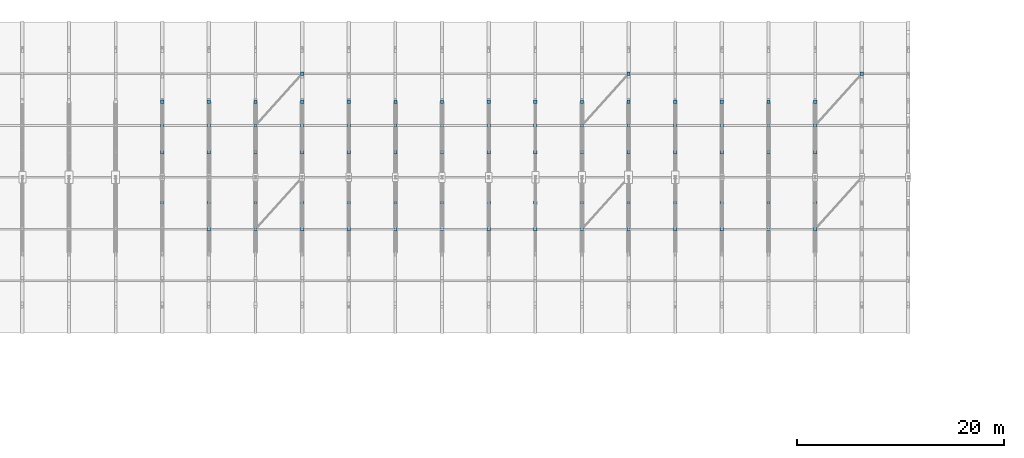
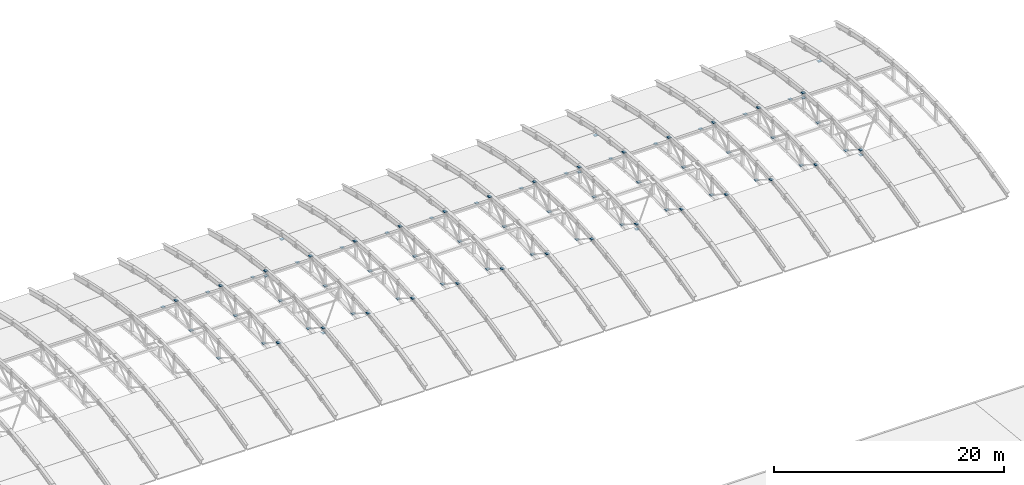
# One storey, part 49 of 53: 83 discrete accessories.
"""IFC4 building model written with IfcOpenShell, lengths in metres."""

from ifc_helpers import new_model, si_unit, direction, frame, origin, origin_2d, place, context, subcontext, project, spatial, rectangle, extrude, material, type_object, element, save


model = new_model("IFC4")

# Units and contexts
model_context = context("Model", 3, precision=1e-05, world=origin(), true_north=direction((0.0, 1.0)))
body_context = subcontext(model_context, "Body", "Model", "MODEL_VIEW")
ifc_project = project(units=[si_unit("LENGTHUNIT", "METRE"), si_unit("AREAUNIT", "SQUARE_METRE"), si_unit("VOLUMEUNIT", "CUBIC_METRE"), si_unit("PLANEANGLEUNIT", "RADIAN"), si_unit("MASSUNIT", "GRAM", prefix="KILO")], contexts=[model_context])

# Site, building, storey
site_placement = place(None, origin())
site = spatial("IfcSite", under=ifc_project, at=site_placement, CompositionType="ELEMENT")
building_placement = place(site_placement, origin())
building = spatial("IfcBuilding", under=site, at=building_placement, Name="Cazmaro Siding Exhibition Halls", CompositionType="ELEMENT")
storey_placement = place(building_placement, frame((0.0, 0.0, 21.0)))
storey = spatial("IfcBuildingStorey", under=building, at=storey_placement, Name="L04", CompositionType="ELEMENT", Elevation=21.0)

# Discrete accessories
ifc_material = material(Name="Steel ASTM A572 Grade 50", Category="steel")
discrete_accessory_type = type_object("IfcDiscreteAccessoryType", Name="GP-CONN-01", PredefinedType="BRACKET", material=ifc_material)
for number, where, z_axis, x_axis, name in (
    (1, (99.0, 91.570068359375, 0.62890625), (0.0, 0.0, 1.0), (1.0, 0.0, 0.0), "Welded Steel Brace Node Gusset Connection GP-01 0377"),
    (2, (99.0, 96.429931640625, 0.62890625), (0.0, 0.0, 1.0), (1.0, 0.0, 0.0), "Welded Steel Brace Node Gusset Connection GP-01 0378"),
    (3, (99.0, 99.0, 2.2509765625), (0.0, 0.0, 1.0), (1.0, 0.0, 0.0), "Welded Steel Brace Node Gusset Connection GP-01 0379"),
    (4, (99.0, 101.2900390625, 0.171875), (0.0, 0.0, 1.0), (1.0, 0.0, 0.0), "Welded Steel Brace Node Gusset Connection GP-01 0380"),
    (5, (103.5, 89.0, 2.2509765625), (0.0, 0.0, 1.0), (1.0, 0.0, 0.0), "Welded Steel Brace Node Gusset Connection GP-01 0398"),
    (6, (103.5, 91.570068359375, 0.62890625), (0.0, 0.0, 1.0), (1.0, 0.0, 0.0), "Welded Steel Brace Node Gusset Connection GP-01 0399"),
    (7, (103.5, 96.429931640625, 0.62890625), (0.0, 0.0, 1.0), (1.0, 0.0, 0.0), "Welded Steel Brace Node Gusset Connection GP-01 0400"),
    (8, (103.5, 99.0, 2.2509765625), (0.0, 0.0, 1.0), (1.0, 0.0, 0.0), "Welded Steel Brace Node Gusset Connection GP-01 0401"),
    (9, (103.5, 101.2900390625, 0.171875), (0.0, 0.0, 1.0), (1.0, 0.0, 0.0), "Welded Steel Brace Node Gusset Connection GP-01 0402"),
    (10, (108.0, 89.0, 1.7109375), (0.0, 0.0, 1.0), (1.0, 0.0, 0.0), "Welded Steel Brace Node Gusset Connection GP-01 0433"),
    (11, (108.0, 89.0, 2.2509765625), (0.0, 0.0, 1.0), (1.0, 0.0, 0.0), "Welded Steel Brace Node Gusset Connection GP-01 0434"),
    (12, (108.0, 91.570068359375, 0.62890625), (0.0, 0.0, 1.0), (1.0, 0.0, 0.0), "Welded Steel Brace Node Gusset Connection GP-01 0435"),
    (13, (108.0, 96.429931640625, 0.62890625), (0.0, 0.0, 1.0), (1.0, 0.0, 0.0), "Welded Steel Brace Node Gusset Connection GP-01 0436"),
    (14, (108.0, 99.0, 1.7109375), (0.0, 0.0, 1.0), (1.0, 0.0, 0.0), "Welded Steel Brace Node Gusset Connection GP-01 0437"),
    (15, (108.0, 99.0, 2.2509765625), (0.0, 0.0, 1.0), (1.0, 0.0, 0.0), "Welded Steel Brace Node Gusset Connection GP-01 0438"),
    (16, (108.0, 101.2900390625, 0.171875), (0.0, 0.0, 1.0), (1.0, 0.0, 0.0), "Welded Steel Brace Node Gusset Connection GP-01 0439"),
    (17, (112.5, 89.0, 2.2509765625), (0.0, 0.0, 1.0), (1.0, 0.0, 0.0), "Welded Steel Brace Node Gusset Connection GP-01 0460"),
    (18, (112.5, 91.570068359375, 0.62890625), (0.0, 0.0, 1.0), (1.0, 0.0, 0.0), "Welded Steel Brace Node Gusset Connection GP-01 0461"),
    (19, (112.5, 96.429931640625, 0.62890625), (0.0, 0.0, 1.0), (1.0, 0.0, 0.0), "Welded Steel Brace Node Gusset Connection GP-01 0462"),
    (20, (112.5, 99.0, 2.2509765625), (0.0, 0.0, 1.0), (1.0, 0.0, 0.0), "Welded Steel Brace Node Gusset Connection GP-01 0463"),
    (21, (112.5, 101.2900390625, 0.171875), (0.0, 0.0, 1.0), (1.0, 0.0, 0.0), "Welded Steel Brace Node Gusset Connection GP-01 0464"),
    (22, (112.5, 104.0, 1.001953125), (0.0, 0.0, 1.0), (1.0, 0.0, 0.0), "Welded Steel Brace Node Gusset Connection GP-01 0465"),
    (23, (117.0, 89.0, 2.2509765625), (0.0, 0.0, 1.0), (1.0, 0.0, 0.0), "Welded Steel Brace Node Gusset Connection GP-01 0495"),
    (24, (117.0, 91.570068359375, 0.62890625), (0.0, 0.0, 1.0), (1.0, 0.0, 0.0), "Welded Steel Brace Node Gusset Connection GP-01 0496"),
    (25, (117.0, 96.429931640625, 0.62890625), (0.0, 0.0, 1.0), (1.0, 0.0, 0.0), "Welded Steel Brace Node Gusset Connection GP-01 0497"),
    (26, (117.0, 99.0, 2.2509765625), (0.0, 0.0, 1.0), (1.0, 0.0, 0.0), "Welded Steel Brace Node Gusset Connection GP-01 0498"),
    (27, (117.0, 101.2900390625, 0.171875), (0.0, 0.0, 1.0), (1.0, 0.0, 0.0), "Welded Steel Brace Node Gusset Connection GP-01 0499"),
    (28, (121.5, 89.0, 2.2509765625), (0.0, 0.0, 1.0), (1.0, 0.0, 0.0), "Welded Steel Brace Node Gusset Connection GP-01 0517"),
    (29, (121.5, 91.570068359375, 0.62890625), (0.0, 0.0, 1.0), (1.0, 0.0, 0.0), "Welded Steel Brace Node Gusset Connection GP-01 0518"),
    (30, (121.5, 96.429931640625, 0.62890625), (0.0, 0.0, 1.0), (1.0, 0.0, 0.0), "Welded Steel Brace Node Gusset Connection GP-01 0519"),
    (31, (121.5, 99.0, 2.2509765625), (0.0, 0.0, 1.0), (1.0, 0.0, 0.0), "Welded Steel Brace Node Gusset Connection GP-01 0520"),
    (32, (121.5, 101.2900390625, 0.171875), (0.0, 0.0, 1.0), (1.0, 0.0, 0.0), "Welded Steel Brace Node Gusset Connection GP-01 0521"),
    (33, (126.0, 89.0, 2.2509765625), (0.0, 0.0, 1.0), (1.0, 0.0, 0.0), "Welded Steel Brace Node Gusset Connection GP-01 0550"),
    (34, (126.0, 91.570068359375, 0.62890625), (0.0, 0.0, 1.0), (1.0, 0.0, 0.0), "Welded Steel Brace Node Gusset Connection GP-01 0551"),
    (35, (126.0, 96.429931640625, 0.62890625), (0.0, 0.0, 1.0), (1.0, 0.0, 0.0), "Welded Steel Brace Node Gusset Connection GP-01 0552"),
    (36, (126.0, 99.0, 2.2509765625), (0.0, 0.0, 1.0), (1.0, 0.0, 0.0), "Welded Steel Brace Node Gusset Connection GP-01 0553"),
    (37, (126.0, 101.2900390625, 0.171875), (0.0, 0.0, 1.0), (1.0, 0.0, 0.0), "Welded Steel Brace Node Gusset Connection GP-01 0554"),
    (38, (130.5, 89.0, 2.2509765625), (0.0, 0.0, 1.0), (1.0, 0.0, 0.0), "Welded Steel Brace Node Gusset Connection GP-01 0572"),
    (39, (130.5, 91.570068359375, 0.62890625), (0.0, 0.0, 1.0), (1.0, 0.0, 0.0), "Welded Steel Brace Node Gusset Connection GP-01 0573"),
    (40, (130.5, 96.429931640625, 0.62890625), (0.0, 0.0, 1.0), (1.0, 0.0, 0.0), "Welded Steel Brace Node Gusset Connection GP-01 0574"),
    (41, (130.5, 99.0, 2.2509765625), (0.0, 0.0, 1.0), (1.0, 0.0, 0.0), "Welded Steel Brace Node Gusset Connection GP-01 0575"),
    (42, (130.5, 101.2900390625, 0.171875), (0.0, 0.0, 1.0), (1.0, 0.0, 0.0), "Welded Steel Brace Node Gusset Connection GP-01 0576"),
    (43, (135.0, 89.0, 2.2509765625), (0.0, 0.0, 1.0), (1.0, 0.0, 0.0), "Welded Steel Brace Node Gusset Connection GP-01 0605"),
    (44, (135.0, 91.570068359375, 0.62890625), (0.0, 0.0, 1.0), (1.0, 0.0, 0.0), "Welded Steel Brace Node Gusset Connection GP-01 0606"),
    (45, (135.0, 96.429931640625, 0.62890625), (0.0, 0.0, 1.0), (1.0, 0.0, 0.0), "Welded Steel Brace Node Gusset Connection GP-01 0607"),
    (46, (135.0, 99.0, 2.2509765625), (0.0, 0.0, 1.0), (1.0, 0.0, 0.0), "Welded Steel Brace Node Gusset Connection GP-01 0608"),
    (47, (135.0, 101.2900390625, 0.171875), (0.0, 0.0, 1.0), (1.0, 0.0, 0.0), "Welded Steel Brace Node Gusset Connection GP-01 0609"),
    (48, (139.5, 89.0, 1.7109375), (0.0, 0.0, 1.0), (1.0, 0.0, 0.0), "Welded Steel Brace Node Gusset Connection GP-01 0629"),
    (49, (139.5, 89.0, 2.2509765625), (0.0, 0.0, 1.0), (1.0, 0.0, 0.0), "Welded Steel Brace Node Gusset Connection GP-01 0630"),
    (50, (139.5, 91.570068359375, 0.62890625), (0.0, 0.0, 1.0), (1.0, 0.0, 0.0), "Welded Steel Brace Node Gusset Connection GP-01 0631"),
    (51, (139.5, 96.429931640625, 0.62890625), (0.0, 0.0, 1.0), (1.0, 0.0, 0.0), "Welded Steel Brace Node Gusset Connection GP-01 0632"),
    (52, (139.5, 99.0, 1.7109375), (0.0, 0.0, 1.0), (1.0, 0.0, 0.0), "Welded Steel Brace Node Gusset Connection GP-01 0633"),
    (53, (139.5, 99.0, 2.2509765625), (0.0, 0.0, 1.0), (1.0, 0.0, 0.0), "Welded Steel Brace Node Gusset Connection GP-01 0634"),
    (54, (139.5, 101.2900390625, 0.171875), (0.0, 0.0, 1.0), (1.0, 0.0, 0.0), "Welded Steel Brace Node Gusset Connection GP-01 0635"),
    (55, (144.0, 89.0, 2.2509765625), (0.0, 0.0, 1.0), (1.0, 0.0, 0.0), "Welded Steel Brace Node Gusset Connection GP-01 0667"),
    (56, (144.0, 91.570068359375, 0.62890625), (0.0, 0.0, 1.0), (1.0, 0.0, 0.0), "Welded Steel Brace Node Gusset Connection GP-01 0668"),
    (57, (144.0, 96.429931640625, 0.62890625), (0.0, 0.0, 1.0), (1.0, 0.0, 0.0), "Welded Steel Brace Node Gusset Connection GP-01 0669"),
    (58, (144.0, 99.0, 2.2509765625), (0.0, 0.0, 1.0), (1.0, 0.0, 0.0), "Welded Steel Brace Node Gusset Connection GP-01 0670"),
    (59, (144.0, 101.2900390625, 0.171875), (0.0, 0.0, 1.0), (1.0, 0.0, 0.0), "Welded Steel Brace Node Gusset Connection GP-01 0671"),
    (60, (144.0, 104.0, 1.001953125), (0.0, 0.0, 1.0), (1.0, 0.0, 0.0), "Welded Steel Brace Node Gusset Connection GP-01 0672"),
    (61, (148.5, 89.0, 2.2509765625), (0.0, 0.0, 1.0), (1.0, 0.0, 0.0), "Welded Steel Brace Node Gusset Connection GP-01 0691"),
    (62, (148.5, 91.570068359375, 0.62890625), (0.0, 0.0, 1.0), (1.0, 0.0, 0.0), "Welded Steel Brace Node Gusset Connection GP-01 0692"),
    (63, (148.5, 96.429931640625, 0.62890625), (0.0, 0.0, 1.0), (1.0, 0.0, 0.0), "Welded Steel Brace Node Gusset Connection GP-01 0693"),
    (64, (148.5, 99.0, 2.2509765625), (0.0, 0.0, 1.0), (1.0, 0.0, 0.0), "Welded Steel Brace Node Gusset Connection GP-01 0694"),
    (65, (148.5, 101.2900390625, 0.171875), (0.0, 0.0, 1.0), (1.0, 0.0, 0.0), "Welded Steel Brace Node Gusset Connection GP-01 0695"),
    (66, (153.0, 89.0, 2.2509765625), (0.0, 0.0, 1.0), (1.0, 0.0, 0.0), "Welded Steel Brace Node Gusset Connection GP-01 0724"),
    (67, (153.0, 91.570068359375, 0.62890625), (0.0, 0.0, 1.0), (1.0, 0.0, 0.0), "Welded Steel Brace Node Gusset Connection GP-01 0725"),
    (68, (153.0, 96.429931640625, 0.62890625), (0.0, 0.0, 1.0), (1.0, 0.0, 0.0), "Welded Steel Brace Node Gusset Connection GP-01 0726"),
    (69, (153.0, 99.0, 2.2509765625), (0.0, 0.0, 1.0), (1.0, 0.0, 0.0), "Welded Steel Brace Node Gusset Connection GP-01 0727"),
    (70, (153.0, 101.2900390625, 0.171875), (0.0, 0.0, 1.0), (1.0, 0.0, 0.0), "Welded Steel Brace Node Gusset Connection GP-01 0728"),
    (71, (157.5, 89.0, 2.2509765625), (0.0, 0.0, 1.0), (1.0, 0.0, 0.0), "Welded Steel Brace Node Gusset Connection GP-01 0746"),
    (72, (157.5, 91.570068359375, 0.62890625), (0.0, 0.0, 1.0), (1.0, 0.0, 0.0), "Welded Steel Brace Node Gusset Connection GP-01 0747"),
    (73, (157.5, 96.429931640625, 0.62890625), (0.0, 0.0, 1.0), (1.0, 0.0, 0.0), "Welded Steel Brace Node Gusset Connection GP-01 0748"),
    (74, (157.5, 99.0, 2.2509765625), (0.0, 0.0, 1.0), (1.0, 0.0, 0.0), "Welded Steel Brace Node Gusset Connection GP-01 0749"),
    (75, (157.5, 101.2900390625, 0.171875), (0.0, 0.0, 1.0), (1.0, 0.0, 0.0), "Welded Steel Brace Node Gusset Connection GP-01 0750"),
    (76, (162.0, 89.0, 1.7109375), (0.0, 0.0, 1.0), (1.0, 0.0, 0.0), "Welded Steel Brace Node Gusset Connection GP-01 0781"),
    (77, (162.0, 89.0, 2.2509765625), (0.0, 0.0, 1.0), (1.0, 0.0, 0.0), "Welded Steel Brace Node Gusset Connection GP-01 0782"),
    (78, (162.0, 91.570068359375, 0.62890625), (0.0, 0.0, 1.0), (1.0, 0.0, 0.0), "Welded Steel Brace Node Gusset Connection GP-01 0783"),
    (79, (162.0, 96.429931640625, 0.62890625), (0.0, 0.0, 1.0), (1.0, 0.0, 0.0), "Welded Steel Brace Node Gusset Connection GP-01 0784"),
    (80, (162.0, 99.0, 1.7109375), (0.0, 0.0, 1.0), (1.0, 0.0, 0.0), "Welded Steel Brace Node Gusset Connection GP-01 0785"),
    (81, (162.0, 99.0, 2.2509765625), (0.0, 0.0, 1.0), (1.0, 0.0, 0.0), "Welded Steel Brace Node Gusset Connection GP-01 0786"),
    (82, (162.0, 101.2900390625, 0.171875), (0.0, 0.0, 1.0), (1.0, 0.0, 0.0), "Welded Steel Brace Node Gusset Connection GP-01 0787"),
    (83, (166.5, 104.0, 1.001953125), (0.0, 0.0, 1.0), (1.0, 0.0, 0.0), "Welded Steel Brace Node Gusset Connection GP-01 0799"),
):
    element("IfcDiscreteAccessory", number, at=place(storey_placement, frame(where, z_axis=z_axis, x_axis=x_axis)), inside=storey, type_object=discrete_accessory_type, Name=name, PredefinedType="BRACKET", context=body_context, shape_type="SweptSolid", body=[
        extrude(rectangle(XDim=0.320068359375, YDim=0.320068359375, at=origin_2d()), origin(), (0.0, 0.0, 1.0), 0.030029296875),
    ])

save(model, "model.ifc")
